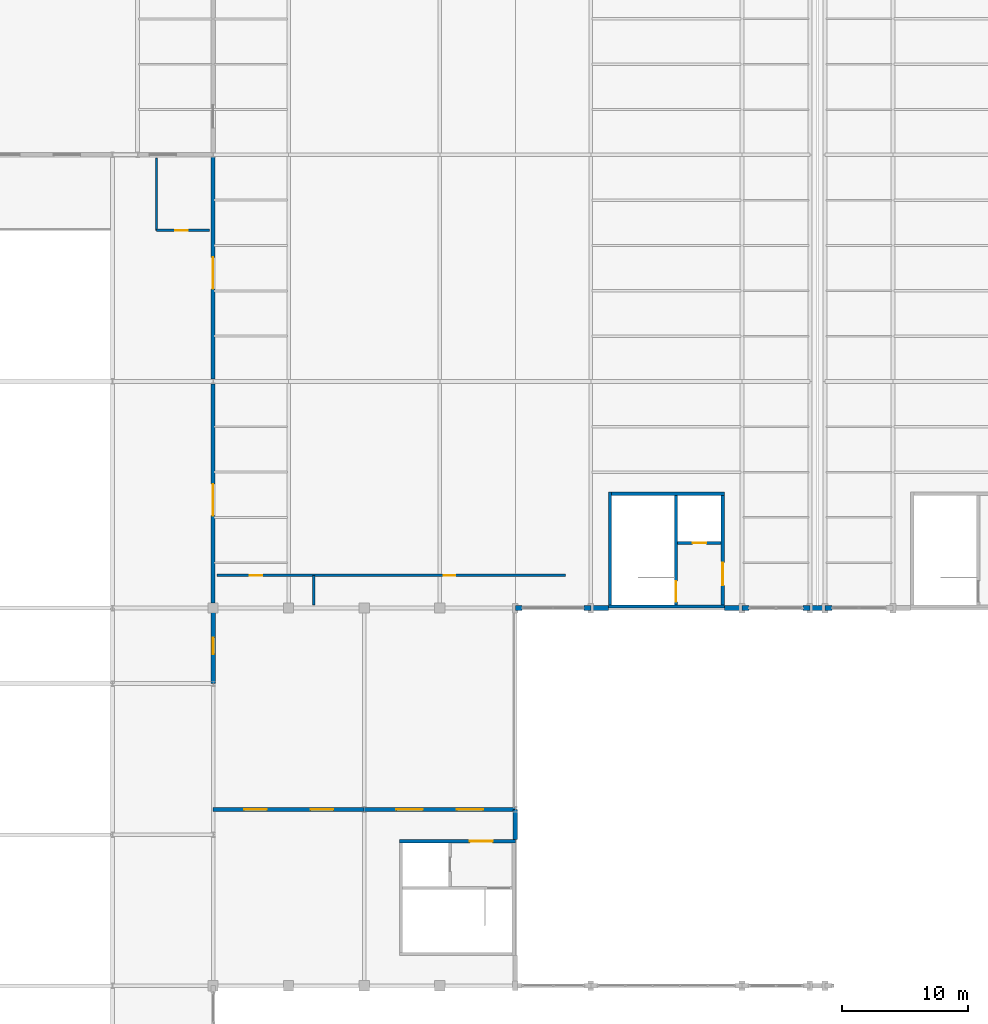
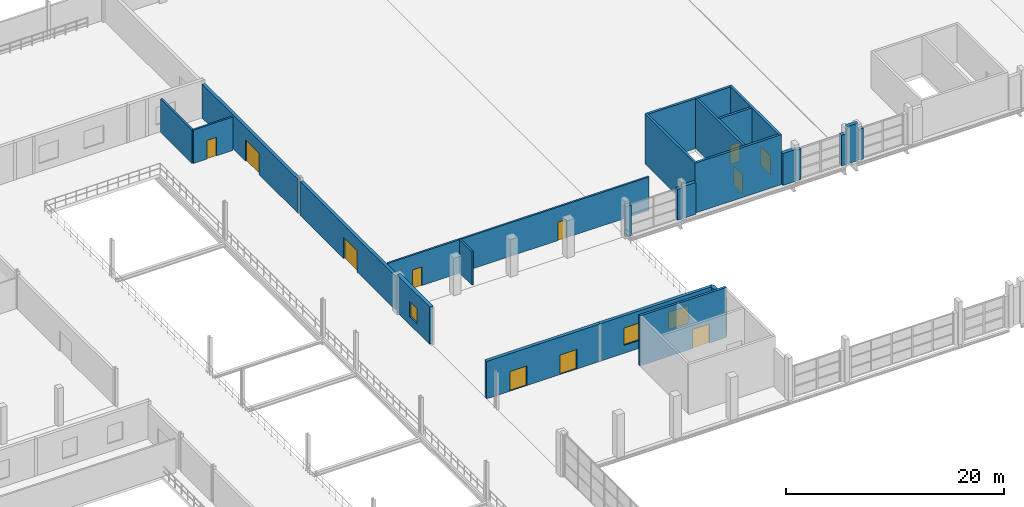
# One storey, part 135 of 147: 25 walls, 11 doors, 3 windows, 14 openings.
"""IFC4 building model written with IfcOpenShell, lengths in metres."""

import ifcopenshell
import ifcopenshell.guid

model = None  # the IFC model being written
_history = None  # IfcOwnerHistory: only IFC2X3 demands one
_inside = {}  # id of a spatial element -> (the spatial element, [elements in it])
_under = {}  # id of a project, library or spatial element -> (it, [spatial elements below it])
_declared = {}  # id of a project -> (the project, [libraries it declares])
_typed = {}  # id of a type object -> (the type object, [elements of that type])
_made_of = {}  # id of a material, layer set ... -> (it, [elements and type objects made of it])


def new_model(schema):
    """Start an empty IFC model of exactly this schema.

    Asked for "IFC4X3", IfcOpenShell would pick the latest addendum, in which some entities
    have other attributes; the version numbers below select the first issue.
    IFC2X3 requires an IfcOwnerHistory on every rooted entity: one is made here for all.
    """
    global model, _history
    if schema == "IFC4X3":
        model = ifcopenshell.file(schema_version=(4, 3, 0, 0))
    else:
        model = ifcopenshell.file(schema=schema)
    _inside.clear()
    _under.clear()
    _declared.clear()
    _typed.clear()
    _made_of.clear()
    _history = None
    if model.schema == "IFC2X3":
        org = make("IfcOrganization", Name="unknown")
        user = make(
            "IfcPersonAndOrganization",
            ThePerson=make("IfcPerson", FamilyName="unknown"),
            TheOrganization=org,
        )
        app = make(
            "IfcApplication",
            ApplicationDeveloper=org,
            Version="unknown",
            ApplicationFullName="unknown",
            ApplicationIdentifier="unknown",
        )
        _history = make(
            "IfcOwnerHistory",
            OwningUser=user,
            OwningApplication=app,
            ChangeAction="ADDED",
            CreationDate=0,
        )
    return model


def make(cls, **values):
    """One entity of the class cls with the attributes given. An attribute that is None is left unset."""
    return model.create_entity(
        cls, **{name: value for name, value in values.items() if value is not None}
    )


def rooted(cls, **values):
    """An entity with a GlobalId (a new one), such as an element, a storey or a relation."""
    return make(cls, GlobalId=ifcopenshell.guid.new(), OwnerHistory=_history, **values)


def si_unit(unit_type, name, prefix=None):
    """IfcSIUnit, for example si_unit("LENGTHUNIT", "METRE", prefix="MILLI")."""
    return make("IfcSIUnit", UnitType=unit_type, Prefix=prefix, Name=name)


def assignment(units):
    """IfcUnitAssignment: the units of a project."""
    return None if units is None else make("IfcUnitAssignment", Units=units)


def point(xyz):
    """IfcCartesianPoint."""
    return None if xyz is None else make("IfcCartesianPoint", Coordinates=xyz)


def direction(xyz):
    """IfcDirection."""
    return None if xyz is None else make("IfcDirection", DirectionRatios=xyz)


def frame(location, z_axis=None, x_axis=None):
    """IfcAxis2Placement3D, a coordinate frame: its origin and axes. An axis left out is left unset."""
    return make(
        "IfcAxis2Placement3D",
        Location=point(location),
        Axis=direction(z_axis),
        RefDirection=direction(x_axis),
    )


def frame_2d(location, x_axis=None):
    """IfcAxis2Placement2D, a coordinate frame in the plane: its origin and x axis."""
    return make(
        "IfcAxis2Placement2D", Location=point(location), RefDirection=direction(x_axis)
    )


def origin():
    """The frame at (0, 0, 0) with its axes left unset."""
    return frame((0.0, 0.0, 0.0))


def place(relative_to, where):
    """IfcLocalPlacement: puts the frame where relative to a parent placement (None: the world)."""
    return make(
        "IfcLocalPlacement", PlacementRelTo=relative_to, RelativePlacement=where
    )


def context(
    kind, dimensions, precision=None, world=None, true_north=None, identifier=None
):
    """IfcGeometricRepresentationContext, for example the 3D "Model" context."""
    return make(
        "IfcGeometricRepresentationContext",
        ContextIdentifier=identifier,
        ContextType=kind,
        CoordinateSpaceDimension=dimensions,
        Precision=precision,
        WorldCoordinateSystem=world,
        TrueNorth=true_north,
    )


def subcontext(parent, identifier, kind, view, scale=None):
    """IfcGeometricRepresentationSubContext, for example "Body" below "Model"."""
    return make(
        "IfcGeometricRepresentationSubContext",
        ContextIdentifier=identifier,
        ContextType=kind,
        ParentContext=parent,
        TargetScale=scale,
        TargetView=view,
    )


def project(units=None, contexts=None):
    """IfcProject with its units and contexts."""
    return rooted(
        "IfcProject",
        Name="project",
        RepresentationContexts=contexts,
        UnitsInContext=assignment(units),
    )


def spatial(cls, under=None, at=None, **own):
    """A site, building, storey or space (cls), placed at a placement, below another one or the project."""
    s = rooted(cls, ObjectPlacement=at, **own)
    if under is not None:
        _under.setdefault(under.id(), (under, []))[1].append(s)
    return s


def profile(cls, at=None, kind="AREA", **sizes):
    """A parametric profile (cls). Its sizes go by their IFC names, for example OverallWidth=200.0."""
    return make(cls, ProfileType=kind, Position=at, **sizes)


def rectangle(**sizes):
    """IfcRectangleProfileDef."""
    return profile("IfcRectangleProfileDef", **sizes)


def extrude(swept, where, along, depth):
    """IfcExtrudedAreaSolid: the profile swept, set in the frame where, extruded along a direction by depth."""
    return make(
        "IfcExtrudedAreaSolid",
        SweptArea=swept,
        Position=where,
        ExtrudedDirection=direction(along),
        Depth=depth,
    )


def shape(context_of_items, identifier, shape_type, items):
    """IfcShapeRepresentation: the items that make up one representation, for example the "Body"."""
    return make(
        "IfcShapeRepresentation",
        ContextOfItems=context_of_items,
        RepresentationIdentifier=identifier,
        RepresentationType=shape_type,
        Items=items,
    )


def material(Name=None, Category=None):
    """IfcMaterial."""
    return make("IfcMaterial", Name=Name, Category=Category)


def layer(
    of_material, thickness, ventilated=None, Name=None, Category=None, Priority=None
):
    """IfcMaterialLayer: one layer of a wall or slab, of a material (None: an air gap)."""
    return make(
        "IfcMaterialLayer",
        Material=of_material,
        LayerThickness=thickness,
        IsVentilated=ventilated,
        Name=Name,
        Category=Category,
        Priority=Priority,
    )


def layer_set(layers, Name=None):
    """IfcMaterialLayerSet."""
    return make("IfcMaterialLayerSet", MaterialLayers=layers, LayerSetName=Name)


def made_of(thing, what):
    """Note that an element or type object is made of a material, layer set ...; save() writes the relation."""
    if what is not None:
        _made_of.setdefault(what.id(), (what, []))[1].append(thing)
    return thing


def type_object(cls, material=None, **own):
    """A type object (cls), such as IfcWallType, which elements share."""
    return made_of(rooted(cls, **own), material)


def element(
    cls,
    number,
    at=None,
    inside=None,
    cuts=None,
    type_object=None,
    material=None,
    context=None,
    identifier="Body",
    shape_type=None,
    held_by="IfcProductDefinitionShape",
    body=None,
    shapes=None,
    **own,
):
    """One element of the class cls, such as IfcWall. Its Tag is "e" and its number.

    at: its placement. inside: the storey or other place that contains it. cuts: it is an
    opening in that element (IfcRelVoidsElement). A single representation is given by context,
    identifier, shape_type and body (its items); several are given by shapes. held_by: the class
    of the entity that holds the representations. save() writes the other relations.
    """
    e = rooted(cls, Tag="e%d" % number, ObjectPlacement=at, **own)
    if body is not None:
        shapes = [shape(context, identifier, shape_type, body)]
    if shapes is not None:
        e.Representation = make(held_by, Representations=shapes)
    if inside is not None:
        _inside.setdefault(inside.id(), (inside, []))[1].append(e)
    if cuts is not None:
        rooted(
            "IfcRelVoidsElement", RelatingBuildingElement=cuts, RelatedOpeningElement=e
        )
    if type_object is not None:
        _typed.setdefault(type_object.id(), (type_object, []))[1].append(e)
    return made_of(e, material)


def fill(opening, filler):
    """IfcRelFillsElement: the door or window that sits in an opening."""
    return rooted(
        "IfcRelFillsElement",
        RelatingOpeningElement=opening,
        RelatedBuildingElement=filler,
    )


def aggregate(whole, parts):
    """IfcRelAggregates: a whole, such as a stair, and the parts it consists of."""
    return rooted("IfcRelAggregates", RelatingObject=whole, RelatedObjects=parts)


def save(model, path):
    """Write the relations noted so far, then the file.

    IfcRelAggregates (storeys below a building ...), IfcRelContainedInSpatialStructure (elements
    in a storey), IfcRelDefinesByType, IfcRelAssociatesMaterial and IfcRelDeclares: one each for
    every whole, place, type object, material and project.
    """
    for whole, parts in _under.values():
        aggregate(whole, parts)
    for where, things in _inside.values():
        rooted(
            "IfcRelContainedInSpatialStructure",
            RelatedElements=things,
            RelatingStructure=where,
        )
    for kind, things in _typed.values():
        rooted("IfcRelDefinesByType", RelatedObjects=things, RelatingType=kind)
    for what, things in _made_of.values():
        rooted("IfcRelAssociatesMaterial", RelatedObjects=things, RelatingMaterial=what)
    for by, libraries in _declared.values():
        rooted("IfcRelDeclares", RelatingContext=by, RelatedDefinitions=libraries)
    model.write(path)


model = new_model("IFC4")

# Units and contexts
model_context = context("Model", 3, precision=1e-05, world=origin(), true_north=direction((0.0, 1.0)))
body_context = subcontext(model_context, "Body", "Model", "MODEL_VIEW")
ifc_project = project(units=[si_unit("LENGTHUNIT", "METRE"), si_unit("AREAUNIT", "SQUARE_METRE"), si_unit("VOLUMEUNIT", "CUBIC_METRE"), si_unit("PLANEANGLEUNIT", "RADIAN"), si_unit("MASSUNIT", "GRAM", prefix="KILO")], contexts=[model_context])

# Site, building, storey
site_placement = place(None, origin())
site = spatial("IfcSite", under=ifc_project, at=site_placement, CompositionType="ELEMENT")
building_placement = place(site_placement, origin())
building = spatial("IfcBuilding", under=site, at=building_placement, Name="Zilviju Railside Exhibition Hall", CompositionType="ELEMENT")
storey_placement = place(building_placement, frame((0.0, 0.0, 8.39990234375)))
storey = spatial("IfcBuildingStorey", under=building, at=storey_placement, Name="L03", CompositionType="ELEMENT", Elevation=8.39990234375)

# Wall, opening, door
ifc_material_1 = material(Name="Concrete C40/50", Category="concrete")
ifc_layer_1 = layer(ifc_material_1, 0.320068359375)
ifc_layer_set_1 = layer_set([ifc_layer_1], Name="Concrete C40/50")
wall_type_1 = type_object("IfcWallType", Name="WL-COMP-320", PredefinedType="SHEAR", material=ifc_layer_set_1)
wall_1_placement = place(storey_placement, frame((78.0, 84.402099609375, 0.0), z_axis=(0.0, 0.0, 1.0), x_axis=(0.0, 1.0, 0.0)))
wall_1 = element("IfcWall", 1, at=wall_1_placement, inside=storey, type_object=wall_type_1, Name="REI 180 North Hall Compartment Wall L03", PredefinedType="SHEAR", context=body_context, shape_type="SweptSolid", body=[
    extrude(rectangle(XDim=17.416015625, YDim=0.320068359375, at=frame_2d((8.7080078125, 0.0))), origin(), (0.0, 0.0, 1.0), 3.800048828125),
])
opening_1_placement = place(wall_1_placement, frame((6.947998046875, 0.0, 0.0)))
opening_1 = element("IfcOpeningElement", 2, at=opening_1_placement, cuts=wall_1, Name="Opening FD-04", PredefinedType="OPENING", context=body_context, shape_type="SweptSolid", body=[
    extrude(rectangle(XDim=2.5, YDim=2.39990234375, at=frame_2d((1.25, 1.199951171875))), frame((0.0, 0.169921875, 0.0), z_axis=(0.0, -1.0, 0.0), x_axis=(1.0, 0.0, 0.0)), (0.0, 0.0, 1.0), 0.340087890625),
])
ifc_material_2 = material(Name="Exhibition hall fire compartment double door EI 60", Category="wood")
door_type_1 = type_object("IfcDoorType", Name="DR-COMP-250x240", OperationType="NOTDEFINED", PredefinedType="DOOR", material=ifc_material_2)
door_1_placement = place(opening_1_placement, origin())
door_1 = element("IfcDoor", 3, at=door_1_placement, inside=storey, type_object=door_type_1, Name="North Hall Entry Fire Door L03", OperationType="DOUBLE_DOOR_SINGLE_SWING", OverallHeight=2.39990234375, OverallWidth=2.5, PredefinedType="DOOR", context=body_context, shape_type="SweptSolid", body=[
    extrude(rectangle(XDim=2.5, YDim=2.39990234375, at=frame_2d((1.25, 1.199951171875))), frame((0.0, 0.02490234375, 0.0), z_axis=(0.0, -1.0, 0.0), x_axis=(1.0, 0.0, 0.0)), (0.0, 0.0, 1.0), 0.050048828125),
])
fill(opening_1, door_1)

wall_2_placement = place(storey_placement, frame((78.0, 102.181884765625, 0.0), z_axis=(0.0, 0.0, 1.0), x_axis=(0.0, 1.0, 0.0)))
wall_2 = element("IfcWall", 4, at=wall_2_placement, inside=storey, type_object=wall_type_1, Name="REI 180 North Hall Compartment Wall L03", PredefinedType="SHEAR", context=body_context, shape_type="SweptSolid", body=[
    extrude(rectangle(XDim=17.63623046875, YDim=0.320068359375, at=frame_2d((8.818115234375, 0.0))), origin(), (0.0, 0.0, 1.0), 3.800048828125),
])
opening_2_placement = place(wall_2_placement, frame((7.16796875, 0.0, 0.0)))
opening_2 = element("IfcOpeningElement", 5, at=opening_2_placement, cuts=wall_2, Name="Opening FD-04", PredefinedType="OPENING", context=body_context, shape_type="SweptSolid", body=[
    extrude(rectangle(XDim=2.5, YDim=2.39990234375, at=frame_2d((1.25, 1.199951171875))), frame((0.0, 0.169921875, 0.0), z_axis=(0.0, -1.0, 0.0), x_axis=(1.0, 0.0, 0.0)), (0.0, 0.0, 1.0), 0.340087890625),
])
door_2_placement = place(opening_2_placement, origin())
door_2 = element("IfcDoor", 6, at=door_2_placement, inside=storey, type_object=door_type_1, Name="North Hall Entry Fire Door L03", OperationType="DOUBLE_DOOR_SINGLE_SWING", OverallHeight=2.39990234375, OverallWidth=2.5, PredefinedType="DOOR", context=body_context, shape_type="SweptSolid", body=[
    extrude(rectangle(XDim=2.5, YDim=2.39990234375, at=frame_2d((1.25, 1.199951171875))), frame((0.0, 0.02490234375, 0.0), z_axis=(0.0, -1.0, 0.0), x_axis=(1.0, 0.0, 0.0)), (0.0, 0.0, 1.0), 0.050048828125),
])
fill(opening_2, door_2)

# Walls
ifc_material_3 = material(Name="Concrete C35/45", Category="concrete")
ifc_layer_2 = layer(ifc_material_3, 0.25)
ifc_layer_set_2 = layer_set([ifc_layer_2], Name="Concrete C35/45")
wall_type_2 = type_object("IfcWallType", Name="WL-CORE-250", PredefinedType="SHEAR", material=ifc_layer_set_2)
wall_3_placement = place(storey_placement, frame((109.52490234375, 84.0, 0.0), z_axis=(0.0, 0.0, 1.0), x_axis=(0.0, 1.0, 0.0)))
element("IfcWall", 7, at=wall_3_placement, inside=storey, type_object=wall_type_2, Name="Core C04 North Hall Court West Stairwell Outer Wall L03", PredefinedType="SHEAR", context=body_context, shape_type="SweptSolid", body=[
    extrude(rectangle(XDim=9.199951171875, YDim=0.25, at=frame_2d((4.60009765625, 0.0))), origin(), (0.0, 0.0, 1.0), 5.60009765625),
])
wall_4_placement = place(storey_placement, frame((109.39990234375, 93.074951171875, 0.0), z_axis=(0.0, 0.0, 1.0), x_axis=(1.0, 0.0, 0.0)))
element("IfcWall", 8, at=wall_4_placement, inside=storey, type_object=wall_type_2, Name="Core C04 North Hall Court West Core Rear Wall L03", PredefinedType="SHEAR", context=body_context, shape_type="SweptSolid", body=[
    extrude(rectangle(XDim=9.2001953125, YDim=0.25, at=frame_2d((4.60009765625, 0.0))), origin(), (0.0, 0.0, 1.0), 5.60009765625),
])

# Wall, opening, door
wall_5_placement = place(storey_placement, frame((118.47509765625, 84.0, 0.0), z_axis=(0.0, 0.0, 1.0), x_axis=(0.0, 1.0, 0.0)))
wall_5 = element("IfcWall", 9, at=wall_5_placement, inside=storey, type_object=wall_type_2, Name="Core C04 North Hall Court West Lobby Side Wall L03", PredefinedType="SHEAR", context=body_context, shape_type="SweptSolid", body=[
    extrude(rectangle(XDim=9.199951171875, YDim=0.25, at=frame_2d((4.60009765625, 0.0))), origin(), (0.0, 0.0, 1.0), 5.60009765625),
])
opening_3_placement = place(wall_5_placement, frame((1.800048828125, 0.0, 0.0)))
opening_3 = element("IfcOpeningElement", 10, at=opening_3_placement, cuts=wall_5, Name="Opening FD-02", PredefinedType="OPENING", context=body_context, shape_type="SweptSolid", body=[
    extrude(rectangle(XDim=1.800048828125, YDim=2.14990234375, at=frame_2d((0.89990234375, 1.074951171875))), frame((0.0, 0.135009765625, 0.0), z_axis=(0.0, -1.0, 0.0), x_axis=(1.0, 0.0, 0.0)), (0.0, 0.0, 1.0), 0.27001953125),
])
ifc_material_4 = material(Name="Self-closing glazed steel core lobby fire door EI 60", Category="steel")
door_type_2 = type_object("IfcDoorType", Name="DR-LOBBY-180x215", OperationType="NOTDEFINED", PredefinedType="DOOR", material=ifc_material_4)
door_3_placement = place(opening_3_placement, origin())
door_3 = element("IfcDoor", 11, at=door_3_placement, inside=storey, type_object=door_type_2, Name="Core C04 North Hall Court West Lobby Fire Door L03", OperationType="DOUBLE_DOOR_SINGLE_SWING", OverallHeight=2.14990234375, OverallWidth=1.800048828125, PredefinedType="DOOR", context=body_context, shape_type="SweptSolid", body=[
    extrude(rectangle(XDim=1.800048828125, YDim=2.14990234375, at=frame_2d((0.89990234375, 1.074951171875))), frame((0.0, 0.02490234375, 0.0), z_axis=(0.0, -1.0, 0.0), x_axis=(1.0, 0.0, 0.0)), (0.0, 0.0, 1.0), 0.050048828125),
])
fill(opening_3, door_3)

wall_6_placement = place(storey_placement, frame((114.77490234375, 84.25, 0.0), z_axis=(0.0, 0.0, 1.0), x_axis=(0.0, 1.0, 0.0)))
wall_6 = element("IfcWall", 12, at=wall_6_placement, inside=storey, type_object=wall_type_2, Name="Core C04 North Hall Court West Stairwell Partition Wall L03", PredefinedType="SHEAR", context=body_context, shape_type="SweptSolid", body=[
    extrude(rectangle(XDim=8.699951171875, YDim=0.25, at=frame_2d((4.35009765625, 0.0))), origin(), (0.0, 0.0, 1.0), 5.60009765625),
])
opening_4_placement = place(wall_6_placement, frame((0.25, 0.0, 0.0)))
opening_4 = element("IfcOpeningElement", 13, at=opening_4_placement, cuts=wall_6, Name="Opening FD-01", PredefinedType="OPENING", context=body_context, shape_type="SweptSolid", body=[
    extrude(rectangle(XDim=1.64990234375, YDim=2.10009765625, at=frame_2d((0.824951171875, 1.050048828125))), frame((0.0, 0.135009765625, 0.0), z_axis=(0.0, -1.0, 0.0), x_axis=(1.0, 0.0, 0.0)), (0.0, 0.0, 1.0), 0.27001953125),
])
ifc_material_5 = material(Name="Self-closing steel stair enclosure fire door EI 60", Category="steel")
door_type_3 = type_object("IfcDoorType", Name="DR-STAIR-165x210", OperationType="NOTDEFINED", PredefinedType="DOOR", material=ifc_material_5)
door_4_placement = place(opening_4_placement, origin())
door_4 = element("IfcDoor", 14, at=door_4_placement, inside=storey, type_object=door_type_3, Name="Core C04 North Hall Court West Protected Stair Door L03", OperationType="SINGLE_SWING_RIGHT", OverallHeight=2.10009765625, OverallWidth=1.64990234375, PredefinedType="DOOR", context=body_context, shape_type="SweptSolid", body=[
    extrude(rectangle(XDim=1.64990234375, YDim=2.10009765625, at=frame_2d((0.824951171875, 1.050048828125))), frame((0.0, 0.02490234375, 0.0), z_axis=(0.0, -1.0, 0.0), x_axis=(1.0, 0.0, 0.0)), (0.0, 0.0, 1.0), 0.050048828125),
])
fill(opening_4, door_4)

wall_7_placement = place(storey_placement, frame((114.89990234375, 89.175048828125, 0.0), z_axis=(0.0, 0.0, 1.0), x_axis=(1.0, 0.0, 0.0)))
wall_7 = element("IfcWall", 15, at=wall_7_placement, inside=storey, type_object=wall_type_2, Name="Core C04 North Hall Court West Lift Shaft Front Wall L03", PredefinedType="SHEAR", context=body_context, shape_type="SweptSolid", body=[
    extrude(rectangle(XDim=3.4501953125, YDim=0.25, at=frame_2d((1.72509765625, 0.0))), origin(), (0.0, 0.0, 1.0), 5.60009765625),
])
opening_5_placement = place(wall_7_placement, frame((1.175048828125, 0.0, 0.0)))
opening_5 = element("IfcOpeningElement", 16, at=opening_5_placement, cuts=wall_7, Name="Opening LD-01", PredefinedType="OPENING", context=body_context, shape_type="SweptSolid", body=[
    extrude(rectangle(XDim=1.10009765625, YDim=2.10009765625, at=frame_2d((0.550048828125, 1.050048828125))), frame((0.0, 0.135009765625, 0.0), z_axis=(0.0, -1.0, 0.0), x_axis=(1.0, 0.0, 0.0)), (0.0, 0.0, 1.0), 0.27001953125),
])
ifc_material_6 = material(Name="Passenger lift sliding landing door EI 60", Category="wood")
door_type_4 = type_object("IfcDoorType", Name="DR-LIFT-110x210", OperationType="NOTDEFINED", PredefinedType="DOOR", material=ifc_material_6)
door_5_placement = place(opening_5_placement, origin())
door_5 = element("IfcDoor", 17, at=door_5_placement, inside=storey, type_object=door_type_4, Name="Lift Landing Door LP-02 L03", OperationType="SLIDING_TO_RIGHT", OverallHeight=2.10009765625, OverallWidth=1.10009765625, PredefinedType="DOOR", context=body_context, shape_type="SweptSolid", body=[
    extrude(rectangle(XDim=1.10009765625, YDim=2.10009765625, at=frame_2d((0.550048828125, 1.050048828125))), frame((0.0, 0.02490234375, 0.0), z_axis=(0.0, -1.0, 0.0), x_axis=(1.0, 0.0, 0.0)), (0.0, 0.0, 1.0), 0.050048828125),
])
fill(opening_5, door_5)

wall_8_placement = place(storey_placement, frame((102.0, 65.47509765625, 0.0), z_axis=(0.0, 0.0, 1.0), x_axis=(-1.0, 0.0, 0.0)))
wall_8 = element("IfcWall", 18, at=wall_8_placement, inside=storey, type_object=wall_type_2, Name="Core C10 Winter Concourse Court Lobby Side Wall L03", PredefinedType="SHEAR", context=body_context, shape_type="SweptSolid", body=[
    extrude(rectangle(XDim=9.199951171875, YDim=0.25, at=frame_2d((4.60009765625, 0.0))), origin(), (0.0, 0.0, 1.0), 5.60009765625),
])
opening_6_placement = place(wall_8_placement, frame((1.800048828125, 0.0, 0.0)))
opening_6 = element("IfcOpeningElement", 19, at=opening_6_placement, cuts=wall_8, Name="Opening FD-02", PredefinedType="OPENING", context=body_context, shape_type="SweptSolid", body=[
    extrude(rectangle(XDim=1.800048828125, YDim=2.14990234375, at=frame_2d((0.89990234375, 1.074951171875))), frame((0.0, 0.135009765625, 0.0), z_axis=(0.0, -1.0, 0.0), x_axis=(1.0, 0.0, 0.0)), (0.0, 0.0, 1.0), 0.27001953125),
])
door_6_placement = place(opening_6_placement, origin())
door_6 = element("IfcDoor", 20, at=door_6_placement, inside=storey, type_object=door_type_2, Name="Core C10 Winter Concourse Court Lobby Fire Door L03", OperationType="DOUBLE_DOOR_SINGLE_SWING", OverallHeight=2.14990234375, OverallWidth=1.800048828125, PredefinedType="DOOR", context=body_context, shape_type="SweptSolid", body=[
    extrude(rectangle(XDim=1.800048828125, YDim=2.14990234375, at=frame_2d((0.89990234375, 1.074951171875))), frame((0.0, 0.02490234375, 0.0), z_axis=(0.0, -1.0, 0.0), x_axis=(1.0, 0.0, 0.0)), (0.0, 0.0, 1.0), 0.050048828125),
])
fill(opening_6, door_6)

# Wall
ifc_layer_3 = layer(ifc_material_1, 0.25)
ifc_layer_set_3 = layer_set([ifc_layer_3], Name="Concrete C40/50")
wall_type_3 = type_object("IfcWallType", Name="WL-CORE-300", PredefinedType="SHEAR", material=ifc_layer_set_3)
wall_9_placement = place(storey_placement, frame((118.60009765625, 84.125, 0.0), z_axis=(0.0, 0.0, 1.0), x_axis=(-1.0, 0.0, 0.0)))
element("IfcWall", 21, at=wall_9_placement, inside=storey, type_object=wall_type_3, Name="Core C04 North Hall Court West Exterior Core Wall L03", PredefinedType="SHEAR", context=body_context, shape_type="SweptSolid", body=[
    extrude(rectangle(XDim=9.2001953125, YDim=0.25, at=frame_2d((4.60009765625, 0.0))), origin(), (0.0, 0.0, 1.0), 5.60009765625),
])

# Wall, openings, doors
ifc_material_7 = material(Name="Insulated terrace foyer masonry wall", Category="masonry")
ifc_layer_4 = layer(ifc_material_7, 0.340087890625)
ifc_layer_set_4 = layer_set([ifc_layer_4], Name="Insulated terrace foyer masonry wall")
wall_type_4 = type_object("IfcWallType", Name="WL-EXT-340", PredefinedType="SOLIDWALL", material=ifc_layer_set_4)
wall_10_placement = place(storey_placement, frame((78.0, 68.0, 0.0), z_axis=(0.0, 0.0, 1.0), x_axis=(1.0, 0.0, 0.0)))
wall_10 = element("IfcWall", 22, at=wall_10_placement, inside=storey, type_object=wall_type_4, Name="Exterior Facade Wall L03 North 0420", PredefinedType="SOLIDWALL", context=body_context, shape_type="SweptSolid", body=[
    extrude(rectangle(XDim=12.0, YDim=0.340087890625, at=frame_2d((6.0, 0.0))), origin(), (0.0, 0.0, 1.0), 4.2001953125),
])
opening_7_placement = place(wall_10_placement, frame((2.4599609375, 0.0, 0.0)))
opening_7 = element("IfcOpeningElement", 23, at=opening_7_placement, cuts=wall_10, Name="Opening TD-01", PredefinedType="OPENING", context=body_context, shape_type="SweptSolid", body=[
    extrude(rectangle(XDim=1.800048828125, YDim=2.199951171875, at=frame_2d((0.89990234375, 1.10009765625))), frame((0.0, 0.179931640625, 0.0), z_axis=(0.0, -1.0, 0.0), x_axis=(1.0, 0.0, 0.0)), (0.0, 0.0, 1.0), 0.360107421875),
])
opening_8_placement = place(wall_10_placement, frame((7.739990234375, 0.0, 0.0)))
opening_8 = element("IfcOpeningElement", 24, at=opening_8_placement, cuts=wall_10, Name="Opening TD-01", PredefinedType="OPENING", context=body_context, shape_type="SweptSolid", body=[
    extrude(rectangle(XDim=1.800048828125, YDim=2.199951171875, at=frame_2d((0.89990234375, 1.10009765625))), frame((0.0, 0.179931640625, 0.0), z_axis=(0.0, -1.0, 0.0), x_axis=(1.0, 0.0, 0.0)), (0.0, 0.0, 1.0), 0.360107421875),
])
ifc_material_8 = material(Name="Triple-glazed roof-garden terrace double door", Category="steel")
door_type_5 = type_object("IfcDoorType", Name="DR-EXT-TERR-180x220", OperationType="NOTDEFINED", PredefinedType="DOOR", material=ifc_material_8)
door_7_placement = place(opening_7_placement, origin())
door_7 = element("IfcDoor", 25, at=door_7_placement, inside=storey, type_object=door_type_5, Name="Water Court Terrace Roof Garden Door TD-V3-E", OperationType="DOUBLE_DOOR_SINGLE_SWING", OverallHeight=2.199951171875, OverallWidth=1.800048828125, PredefinedType="DOOR", context=body_context, shape_type="SweptSolid", body=[
    extrude(rectangle(XDim=1.800048828125, YDim=2.199951171875, at=frame_2d((0.89990234375, 1.10009765625))), frame((0.0, 0.02490234375, 0.0), z_axis=(0.0, -1.0, 0.0), x_axis=(1.0, 0.0, 0.0)), (0.0, 0.0, 1.0), 0.050048828125),
])
fill(opening_7, door_7)
door_8_placement = place(opening_8_placement, origin())
door_8 = element("IfcDoor", 26, at=door_8_placement, inside=storey, type_object=door_type_5, Name="Water Court Terrace Roof Garden Door TD-V3-E", OperationType="DOUBLE_DOOR_SINGLE_SWING", OverallHeight=2.199951171875, OverallWidth=1.800048828125, PredefinedType="DOOR", context=body_context, shape_type="SweptSolid", body=[
    extrude(rectangle(XDim=1.800048828125, YDim=2.199951171875, at=frame_2d((0.89990234375, 1.10009765625))), frame((0.0, 0.02490234375, 0.0), z_axis=(0.0, -1.0, 0.0), x_axis=(1.0, 0.0, 0.0)), (0.0, 0.0, 1.0), 0.050048828125),
])
fill(opening_8, door_8)

# Wall, openings, windows
wall_11_placement = place(storey_placement, frame((90.0, 68.0, 0.0), z_axis=(0.0, 0.0, 1.0), x_axis=(1.0, 0.0, 0.0)))
wall_11 = element("IfcWall", 27, at=wall_11_placement, inside=storey, type_object=wall_type_4, Name="Exterior Facade Wall L03 North 0421", PredefinedType="SOLIDWALL", context=body_context, shape_type="SweptSolid", body=[
    extrude(rectangle(XDim=12.0, YDim=0.340087890625, at=frame_2d((6.0, 0.0))), origin(), (0.0, 0.0, 1.0), 4.2001953125),
])
opening_9_placement = place(wall_11_placement, frame((2.550048828125, 0.0, 0.89990234375)))
opening_9 = element("IfcOpeningElement", 28, at=opening_9_placement, cuts=wall_11, Name="Opening WN-15", PredefinedType="OPENING", context=body_context, shape_type="SweptSolid", body=[
    extrude(rectangle(XDim=2.10009765625, YDim=1.949951171875, at=frame_2d((1.050048828125, 0.97509765625))), frame((0.0, 0.179931640625, 0.0), z_axis=(0.0, -1.0, 0.0), x_axis=(1.0, 0.0, 0.0)), (0.0, 0.0, 1.0), 0.360107421875),
])
opening_10_placement = place(wall_11_placement, frame((7.35009765625, 0.0, 0.89990234375)))
opening_10 = element("IfcOpeningElement", 29, at=opening_10_placement, cuts=wall_11, Name="Opening WN-15", PredefinedType="OPENING", context=body_context, shape_type="SweptSolid", body=[
    extrude(rectangle(XDim=2.10009765625, YDim=1.949951171875, at=frame_2d((1.050048828125, 0.97509765625))), frame((0.0, 0.179931640625, 0.0), z_axis=(0.0, -1.0, 0.0), x_axis=(1.0, 0.0, 0.0)), (0.0, 0.0, 1.0), 0.360107421875),
])
ifc_material_9 = material(Name="Triple-glazed timber-aluminium window unit", Category="wood")
window_type_1 = type_object("IfcWindowType", Name="WIN-CON-210x195", PartitioningType="DOUBLE_PANEL_VERTICAL", PredefinedType="WINDOW", material=ifc_material_9)
window_1_placement = place(opening_9_placement, origin())
window_1 = element("IfcWindow", 30, at=window_1_placement, inside=storey, type_object=window_type_1, Name="Facade Window L03 WN-0022", OverallHeight=1.949951171875, OverallWidth=2.10009765625, PartitioningType="SINGLE_PANEL", PredefinedType="WINDOW", context=body_context, shape_type="SweptSolid", body=[
    extrude(rectangle(XDim=2.10009765625, YDim=1.949951171875, at=frame_2d((1.050048828125, 0.97509765625))), frame((0.0, 0.030029296875, 0.0), z_axis=(0.0, -1.0, 0.0), x_axis=(1.0, 0.0, 0.0)), (0.0, 0.0, 1.0), 0.06005859375),
])
fill(opening_9, window_1)
window_2_placement = place(opening_10_placement, origin())
window_2 = element("IfcWindow", 31, at=window_2_placement, inside=storey, type_object=window_type_1, Name="Facade Window L03 WN-0023", OverallHeight=1.949951171875, OverallWidth=2.10009765625, PartitioningType="SINGLE_PANEL", PredefinedType="WINDOW", context=body_context, shape_type="SweptSolid", body=[
    extrude(rectangle(XDim=2.10009765625, YDim=1.949951171875, at=frame_2d((1.050048828125, 0.97509765625))), frame((0.0, 0.030029296875, 0.0), z_axis=(0.0, -1.0, 0.0), x_axis=(1.0, 0.0, 0.0)), (0.0, 0.0, 1.0), 0.06005859375),
])
fill(opening_10, window_2)

# Walls
ifc_material_10 = material(Name="Insulated courtyard masonry wall", Category="masonry")
ifc_layer_5 = layer(ifc_material_10, 0.360107421875)
ifc_layer_set_5 = layer_set([ifc_layer_5], Name="Insulated courtyard masonry wall")
wall_type_5 = type_object("IfcWallType", Name="WL-EXT-360", PredefinedType="SOLIDWALL", material=ifc_layer_set_5)
wall_12_placement = place(storey_placement, frame((102.0, 68.0, 0.0), z_axis=(0.0, 0.0, 1.0), x_axis=(0.0, -1.0, 0.0)))
element("IfcWall", 32, at=wall_12_placement, inside=storey, type_object=wall_type_5, Name="Exterior Facade Wall L03 East 0419", PredefinedType="SOLIDWALL", context=body_context, shape_type="SweptSolid", body=[
    extrude(rectangle(XDim=2.39990234375, YDim=0.360107421875, at=frame_2d((1.199951171875, 0.0))), origin(), (0.0, 0.0, 1.0), 4.2001953125),
])
ifc_material_11 = material(Name="Insulated cream-brick upper facade wall", Category="masonry")
ifc_layer_6 = layer(ifc_material_11, 0.3798828125)
ifc_layer_set_6 = layer_set([ifc_layer_6], Name="Insulated cream-brick upper facade wall")
wall_type_6 = type_object("IfcWallType", Name="WL-EXT-380", PredefinedType="SOLIDWALL", material=ifc_layer_set_6)
wall_13_placement = place(storey_placement, frame((102.550048828125, 84.0, 0.0), z_axis=(0.0, 0.0, 1.0), x_axis=(-1.0, 0.0, 0.0)))
element("IfcWall", 33, at=wall_13_placement, inside=storey, type_object=wall_type_6, Name="Curtain-Wall Jamb Closure Pier L03 0223", PredefinedType="SOLIDWALL", context=body_context, shape_type="SweptSolid", body=[
    extrude(rectangle(XDim=0.550048828125, YDim=0.3798828125, at=frame_2d((0.27490234375, 0.0))), origin(), (0.0, 0.0, 1.0), 3.4501953125),
])
wall_14_placement = place(storey_placement, frame((107.998046875, 84.0, 0.0), z_axis=(0.0, 0.0, 1.0), x_axis=(-1.0, 0.0, 0.0)))
element("IfcWall", 34, at=wall_14_placement, inside=storey, type_object=wall_type_6, Name="Curtain-Wall Jamb Closure Pier L03 0224", PredefinedType="SOLIDWALL", context=body_context, shape_type="SweptSolid", body=[
    extrude(rectangle(XDim=0.548095703125, YDim=0.3798828125, at=frame_2d((0.27392578125, 0.0))), origin(), (0.0, 0.0, 1.0), 3.4501953125),
])
for number, where, z_axis, x_axis, name in (
    (35, (109.39990234375, 84.0, 0.0), (0.0, 0.0, 1.0), (-1.0, 0.0, 0.0), "Exterior Facade Wall L03 South 0225"),
    (36, (120.0, 84.0, 0.0), (0.0, 0.0, 1.0), (-1.0, 0.0, 0.0), "Exterior Facade Wall L03 South 0226"),
):
    element("IfcWall", number, at=place(storey_placement, frame(where, z_axis=z_axis, x_axis=x_axis)), inside=storey, type_object=wall_type_6, Name=name, PredefinedType="SOLIDWALL", context=body_context, shape_type="SweptSolid", body=[
        extrude(rectangle(XDim=1.39990234375, YDim=0.3798828125, at=frame_2d((0.699951171875, 0.0))), origin(), (0.0, 0.0, 1.0), 3.570068359375),
    ])
wall_15_placement = place(storey_placement, frame((120.550048828125, 84.0, 0.0), z_axis=(0.0, 0.0, 1.0), x_axis=(-1.0, 0.0, 0.0)))
element("IfcWall", 37, at=wall_15_placement, inside=storey, type_object=wall_type_6, Name="Curtain-Wall Jamb Closure Pier L03 0227", PredefinedType="SOLIDWALL", context=body_context, shape_type="SweptSolid", body=[
    extrude(rectangle(XDim=0.548095703125, YDim=0.3798828125, at=frame_2d((0.27392578125, 0.0))), origin(), (0.0, 0.0, 1.0), 3.4501953125),
])
for number, where, z_axis, x_axis, name in (
    (38, (125.39794921875, 84.0, 0.0), (0.0, 0.0, 1.0), (-1.0, 0.0, 0.0), "Curtain-Wall Jamb Closure Pier L03 0228"),
    (39, (127.14990234375, 84.0, 0.0), (0.0, 0.0, 1.0), (-1.0, 0.0, 0.0), "Curtain-Wall Jamb Closure Pier L03 0229"),
):
    element("IfcWall", number, at=place(storey_placement, frame(where, z_axis=z_axis, x_axis=x_axis)), inside=storey, type_object=wall_type_6, Name=name, PredefinedType="SOLIDWALL", context=body_context, shape_type="SweptSolid", body=[
        extrude(rectangle(XDim=0.5478515625, YDim=0.3798828125, at=frame_2d((0.27392578125, 0.0))), origin(), (0.0, 0.0, 1.0), 3.4501953125),
    ])

# Wall, opening, window
wall_16_placement = place(storey_placement, frame((78.0, 84.0, 0.0), z_axis=(0.0, 0.0, 1.0), x_axis=(0.0, -1.0, 0.0)))
wall_16 = element("IfcWall", 40, at=wall_16_placement, inside=storey, type_object=wall_type_6, Name="Exterior Facade Wall L03 East 0417", PredefinedType="SOLIDWALL", context=body_context, shape_type="SweptSolid", body=[
    extrude(rectangle(XDim=6.0, YDim=0.3798828125, at=frame_2d((3.0, 0.0))), origin(), (0.0, 0.0, 1.0), 4.2001953125),
])
opening_11_placement = place(wall_16_placement, frame((2.35009765625, 0.0, 0.89990234375)))
opening_11 = element("IfcOpeningElement", 41, at=opening_11_placement, cuts=wall_16, Name="Opening WN-09", PredefinedType="OPENING", context=body_context, shape_type="SweptSolid", body=[
    extrude(rectangle(XDim=1.300048828125, YDim=1.699951171875, at=frame_2d((0.64990234375, 0.85009765625))), frame((0.0, 0.199951171875, 0.0), z_axis=(0.0, -1.0, 0.0), x_axis=(1.0, 0.0, 0.0)), (0.0, 0.0, 1.0), 0.39990234375),
])
window_type_2 = type_object("IfcWindowType", Name="WIN-ATT-130x170", PartitioningType="SINGLE_PANEL", PredefinedType="WINDOW", material=ifc_material_9)
window_3_placement = place(opening_11_placement, origin())
window_3 = element("IfcWindow", 42, at=window_3_placement, inside=storey, type_object=window_type_2, Name="Facade Window L03 WN-0021", OverallHeight=1.699951171875, OverallWidth=1.300048828125, PartitioningType="SINGLE_PANEL", PredefinedType="WINDOW", context=body_context, shape_type="SweptSolid", body=[
    extrude(rectangle(XDim=1.300048828125, YDim=1.699951171875, at=frame_2d((0.64990234375, 0.85009765625))), frame((0.0, 0.030029296875, 0.0), z_axis=(0.0, -1.0, 0.0), x_axis=(1.0, 0.0, 0.0)), (0.0, 0.0, 1.0), 0.06005859375),
])
fill(opening_11, window_3)

# Wall
wall_17_placement = place(storey_placement, frame((126.60009765625, 84.0, 0.0), z_axis=(0.0, 0.0, 1.0), x_axis=(-1.0, 0.0, 0.0)))
element("IfcWall", 43, at=wall_17_placement, inside=storey, type_object=wall_type_6, Name="Exterior Facade Wall L03 South 0592", PredefinedType="SOLIDWALL", context=body_context, shape_type="SweptSolid", body=[
    extrude(rectangle(XDim=1.2001953125, YDim=0.3798828125, at=frame_2d((0.60009765625, 0.0))), origin(), (0.0, 0.0, 1.0), 4.2001953125),
])

# Wall, openings, doors
ifc_material_12 = material(Name="Accessible WC sanitary chase wall", Category="masonry")
ifc_layer_7 = layer(ifc_material_12, 0.18994140625)
ifc_layer_set_7 = layer_set([ifc_layer_7], Name="Accessible WC sanitary chase wall")
wall_type_7 = type_object("IfcWallType", Name="WL-PLMB-190", PredefinedType="PLUMBINGWALL", material=ifc_layer_set_7)
wall_18_placement = place(storey_placement, frame((78.300048828125, 86.60009765625, 0.0), z_axis=(0.0, 0.0, 1.0), x_axis=(1.0, 0.0, 0.0)))
wall_18 = element("IfcWall", 44, at=wall_18_placement, inside=storey, type_object=wall_type_7, Name="Upper Hall L03 Sanitary Wall", PredefinedType="PLUMBINGWALL", context=body_context, shape_type="SweptSolid", body=[
    extrude(rectangle(XDim=27.699951171875, YDim=0.18994140625, at=frame_2d((13.85009765625, 0.0))), origin(), (0.0, 0.0, 1.0), 3.75),
])
opening_12_placement = place(wall_18_placement, frame((2.60009765625, 0.0, 0.0)))
opening_12 = element("IfcOpeningElement", 45, at=opening_12_placement, cuts=wall_18, Name="Opening WD-01", PredefinedType="OPENING", context=body_context, shape_type="SweptSolid", body=[
    extrude(rectangle(XDim=1.0, YDim=2.10009765625, at=frame_2d((0.5, 1.050048828125))), frame((0.0, 0.10498046875, 0.0), z_axis=(0.0, -1.0, 0.0), x_axis=(1.0, 0.0, 0.0)), (0.0, 0.0, 1.0), 0.2099609375),
])
opening_13_placement = place(wall_18_placement, frame((18.010009765625, 0.0, 0.0)))
opening_13 = element("IfcOpeningElement", 46, at=opening_13_placement, cuts=wall_18, Name="Opening WD-02", PredefinedType="OPENING", context=body_context, shape_type="SweptSolid", body=[
    extrude(rectangle(XDim=0.89990234375, YDim=2.050048828125, at=frame_2d((0.449951171875, 1.02490234375))), frame((0.0, 0.10498046875, 0.0), z_axis=(0.0, -1.0, 0.0), x_axis=(1.0, 0.0, 0.0)), (0.0, 0.0, 1.0), 0.2099609375),
])
ifc_material_13 = material(Name="Accessible WC outward-opening door", Category="wood")
door_type_6 = type_object("IfcDoorType", Name="DR-WC-ACC-100x210", OperationType="NOTDEFINED", PredefinedType="DOOR", material=ifc_material_13)
door_9_placement = place(opening_12_placement, origin())
door_9 = element("IfcDoor", 47, at=door_9_placement, inside=storey, type_object=door_type_6, Name="Upper Hall L03 Sanitary Wall Door 1", OperationType="SINGLE_SWING_LEFT", OverallHeight=2.10009765625, OverallWidth=1.0, PredefinedType="DOOR", context=body_context, shape_type="SweptSolid", body=[
    extrude(rectangle(XDim=1.0, YDim=2.10009765625, at=frame_2d((0.5, 1.050048828125))), frame((0.0, 0.02490234375, 0.0), z_axis=(0.0, -1.0, 0.0), x_axis=(1.0, 0.0, 0.0)), (0.0, 0.0, 1.0), 0.050048828125),
])
fill(opening_12, door_9)
ifc_material_14 = material(Name="Sanitary washroom timber door", Category="wood")
door_type_7 = type_object("IfcDoorType", Name="DR-WC-STD-090x205", OperationType="NOTDEFINED", PredefinedType="DOOR", material=ifc_material_14)
door_10_placement = place(opening_13_placement, origin())
door_10 = element("IfcDoor", 48, at=door_10_placement, inside=storey, type_object=door_type_7, Name="Upper Hall L03 Sanitary Wall Door 2", OperationType="SINGLE_SWING_RIGHT", OverallHeight=2.050048828125, OverallWidth=0.89990234375, PredefinedType="DOOR", context=body_context, shape_type="SweptSolid", body=[
    extrude(rectangle(XDim=0.89990234375, YDim=2.050048828125, at=frame_2d((0.449951171875, 1.02490234375))), frame((0.0, 0.02490234375, 0.0), z_axis=(0.0, -1.0, 0.0), x_axis=(1.0, 0.0, 0.0)), (0.0, 0.0, 1.0), 0.050048828125),
])
fill(opening_13, door_10)

# Wall, opening, door
wall_19_placement = place(storey_placement, frame((73.5, 114.0, 0.0), z_axis=(0.0, 0.0, 1.0), x_axis=(1.0, 0.0, 0.0)))
wall_19 = element("IfcWall", 49, at=wall_19_placement, inside=storey, type_object=wall_type_7, Name="Concourse L03 WC Wall", PredefinedType="PLUMBINGWALL", context=body_context, shape_type="SweptSolid", body=[
    extrude(rectangle(XDim=4.199951171875, YDim=0.18994140625, at=frame_2d((2.10009765625, 0.0))), origin(), (0.0, 0.0, 1.0), 3.75),
])
opening_14_placement = place(wall_19_placement, frame((1.469970703125, 0.0, 0.0)))
opening_14 = element("IfcOpeningElement", 50, at=opening_14_placement, cuts=wall_19, Name="Opening WD-01", PredefinedType="OPENING", context=body_context, shape_type="SweptSolid", body=[
    extrude(rectangle(XDim=1.0, YDim=2.10009765625, at=frame_2d((0.5, 1.050048828125))), frame((0.0, 0.10498046875, 0.0), z_axis=(0.0, -1.0, 0.0), x_axis=(1.0, 0.0, 0.0)), (0.0, 0.0, 1.0), 0.2099609375),
])
door_11_placement = place(opening_14_placement, origin())
door_11 = element("IfcDoor", 51, at=door_11_placement, inside=storey, type_object=door_type_6, Name="Concourse L03 WC Wall Door 1", OperationType="SINGLE_SWING_LEFT", OverallHeight=2.10009765625, OverallWidth=1.0, PredefinedType="DOOR", context=body_context, shape_type="SweptSolid", body=[
    extrude(rectangle(XDim=1.0, YDim=2.10009765625, at=frame_2d((0.5, 1.050048828125))), frame((0.0, 0.02490234375, 0.0), z_axis=(0.0, -1.0, 0.0), x_axis=(1.0, 0.0, 0.0)), (0.0, 0.0, 1.0), 0.050048828125),
])
fill(opening_14, door_11)

# Walls
wall_20_placement = place(storey_placement, frame((86.0, 84.25, 0.0), z_axis=(0.0, 0.0, 1.0), x_axis=(0.0, 1.0, 0.0)))
element("IfcWall", 52, at=wall_20_placement, inside=storey, type_object=wall_type_7, Name="Upper Hall L03 WC Divider", PredefinedType="PLUMBINGWALL", context=body_context, shape_type="SweptSolid", body=[
    extrude(rectangle(XDim=2.35009765625, YDim=0.18994140625, at=frame_2d((1.175048828125, 0.0))), origin(), (0.0, 0.0, 1.0), 3.75),
])
wall_21_placement = place(storey_placement, frame((73.5, 114.0, 0.0), z_axis=(0.0, 0.0, 1.0), x_axis=(0.0, 1.0, 0.0)))
element("IfcWall", 53, at=wall_21_placement, inside=storey, type_object=wall_type_7, Name="Concourse L03 WC West Wall", PredefinedType="PLUMBINGWALL", context=body_context, shape_type="SweptSolid", body=[
    extrude(rectangle(XDim=5.75, YDim=0.18994140625, at=frame_2d((2.875, 0.0))), origin(), (0.0, 0.0, 1.0), 3.75),
])

save(model, "model.ifc")
